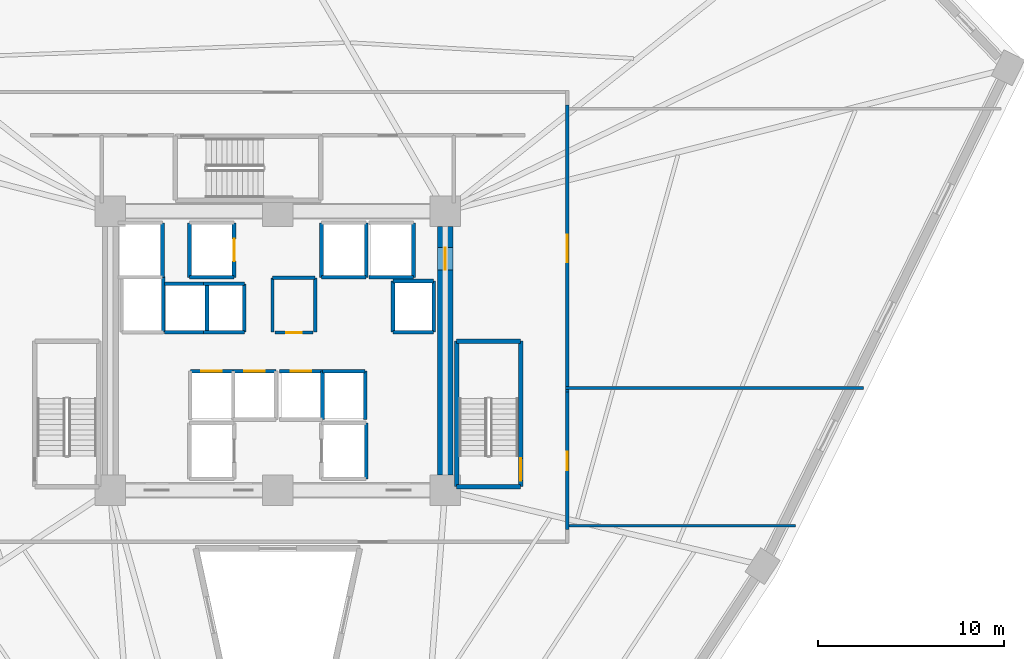
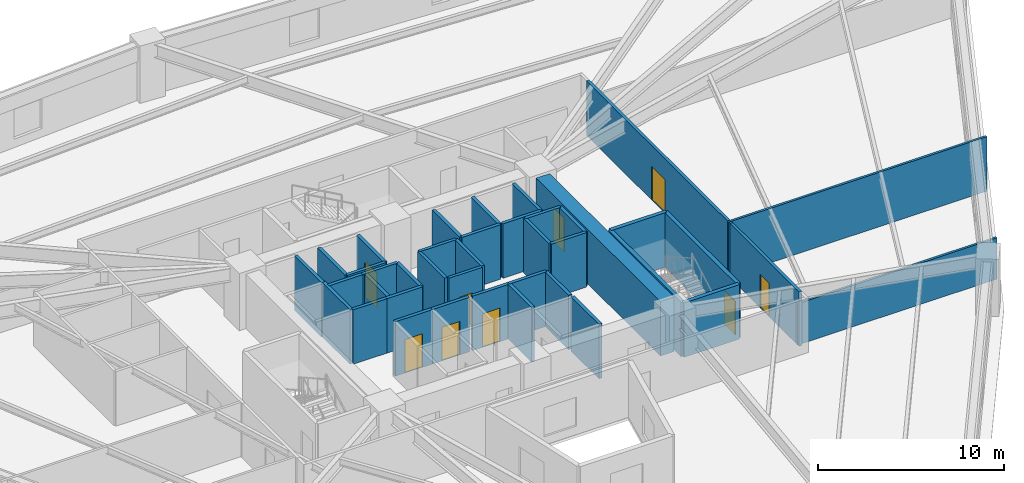
# One storey, part 5 of 8: 40 walls, 9 doors, 9 openings.
"""IFC4 building model written with IfcOpenShell, lengths in metres."""

from ifc_helpers import new_model, si_unit, direction, frame, frame_2d, origin, place, context, subcontext, project, spatial, rectangle, extrude, source, transform, mapped, material, layer, layer_set, type_object, element, fill, save


model = new_model("IFC4")

# Units and contexts
model_context = context("Model", 3, precision=1e-05, world=origin(), true_north=direction((0.0, 1.0)))
body_context = subcontext(model_context, "Body", "Model", "MODEL_VIEW")
ifc_project = project(units=[si_unit("LENGTHUNIT", "METRE"), si_unit("AREAUNIT", "SQUARE_METRE"), si_unit("VOLUMEUNIT", "CUBIC_METRE"), si_unit("PLANEANGLEUNIT", "RADIAN"), si_unit("MASSUNIT", "GRAM", prefix="KILO")], contexts=[model_context])

# Site, building, storey
site_placement = place(None, origin())
site = spatial("IfcSite", under=ifc_project, at=site_placement, CompositionType="ELEMENT")
building_placement = place(site_placement, origin())
building = spatial("IfcBuilding", under=site, at=building_placement, Name="Liaohun Quay Tower", CompositionType="ELEMENT")
storey_placement = place(building_placement, frame((0.0, 0.0, 36.0)))
storey = spatial("IfcBuildingStorey", under=building, at=storey_placement, Name="L09", CompositionType="ELEMENT", Elevation=36.0)

# Wall, opening, door
ifc_material_1 = material(Name="Concrete C60", Category="concrete")
ifc_layer_1 = layer(ifc_material_1, 0.85009765625, Name="Concrete C60", Category="concrete")
ifc_layer_set_1 = layer_set([ifc_layer_1], Name="Concrete C60")
wall_type_1 = type_object("IfcWallType", Name="WAL-COR-Z1", PredefinedType="SHEAR", material=ifc_layer_set_1)
wall_1_placement = place(storey_placement, frame((69.0, 60.675048828125, 0.0), z_axis=(0.0, 0.0, 1.0), x_axis=(0.0, -1.0, 0.0)))
wall_1 = element("IfcWall", 1, at=wall_1_placement, inside=storey, type_object=wall_type_1, Name="L09 Central Core Shear Wall E", PredefinedType="SHEAR", context=body_context, shape_type="SweptSolid", body=[
    extrude(rectangle(XDim=13.35009765625, YDim=0.85009765625, at=frame_2d((6.675048828125, 0.0))), origin(), (0.0, 0.0, 1.0), 3.570068359375),
])
shared_shape_1 = source(origin(), body_context, "Body", "SweptSolid", [
    extrude(rectangle(XDim=1.199951171875, YDim=2.199951171875, at=frame_2d((0.60009765625, 1.10009765625))), frame((0.0, 0.43505859375, 0.0), z_axis=(0.0, -1.0, 0.0), x_axis=(1.0, 0.0, 0.0)), (0.0, 0.0, 1.0), 0.8701171875),
])
opening_1_placement = place(wall_1_placement, frame((1.125, 0.0, 0.0)))
opening_1 = element("IfcOpeningElement", 2, at=opening_1_placement, cuts=wall_1, Name="Opening SD1", PredefinedType="OPENING", context=body_context, shape_type="MappedRepresentation", body=[
    mapped(shared_shape_1, transform((0.0, 0.0, 0.0), x_axis=(1.0, 0.0, 0.0), y_axis=(0.0, 1.0, 0.0), z_axis=(0.0, 0.0, 1.0), scale=1.0)),
])
ifc_material_2 = material(Name="Galvanised steel fire door", Category="steel")
door_type_1 = type_object("IfcDoorType", Name="DOR-STR-1200", OperationType="NOTDEFINED", PredefinedType="DOOR", material=ifc_material_2)
shared_shape_2 = source(origin(), body_context, "Body", "SweptSolid", [
    extrude(rectangle(XDim=1.199951171875, YDim=2.199951171875, at=frame_2d((0.60009765625, 1.10009765625))), frame((0.0, 0.02490234375, 0.0), z_axis=(0.0, -1.0, 0.0), x_axis=(1.0, 0.0, 0.0)), (0.0, 0.0, 1.0), 0.050048828125),
])
door_1_placement = place(opening_1_placement, origin())
door_1 = element("IfcDoor", 3, at=door_1_placement, inside=storey, type_object=door_type_1, Name="L09 North-East Core Lobby Smokeproof Door", OperationType="SINGLE_SWING_LEFT", OverallHeight=2.199951171875, OverallWidth=1.199951171875, PredefinedType="DOOR", context=body_context, shape_type="MappedRepresentation", body=[
    mapped(shared_shape_2, transform((0.0, 0.0, 0.0), x_axis=(1.0, 0.0, 0.0), y_axis=(0.0, 1.0, 0.0), z_axis=(0.0, 0.0, 1.0), scale=1.0)),
])
fill(opening_1, door_1)

ifc_material_3 = material(Name="Autoclaved aerated concrete blockwork", Category="masonry")
ifc_layer_2 = layer(ifc_material_3, 0.179931640625, Name="Autoclaved aerated concrete blockwork", Category="masonry")
ifc_layer_set_2 = layer_set([ifc_layer_2], Name="Autoclaved aerated concrete blockwork")
wall_type_2 = type_object("IfcWallType", Name="WAL-PRT-COR", PredefinedType="PARTITIONING", material=ifc_layer_set_2)
wall_2_placement = place(storey_placement, frame((59.840087890625, 54.97998046875, 0.0), z_axis=(0.0, 0.0, 1.0), x_axis=(1.0, 0.0, 0.0)))
wall_2 = element("IfcWall", 4, at=wall_2_placement, inside=storey, type_object=wall_type_2, Name="L09 Interior Partition Wall 001", PredefinedType="PARTITIONING", context=body_context, shape_type="SweptSolid", body=[
    extrude(rectangle(XDim=2.059814453125, YDim=0.179931640625, at=frame_2d((1.02978515625, 0.0))), origin(), (0.0, 0.0, 1.0), 3.570068359375),
])
shared_shape_3 = source(origin(), body_context, "Body", "SweptSolid", [
    extrude(rectangle(XDim=0.85009765625, YDim=2.10009765625, at=frame_2d((0.425048828125, 1.050048828125))), frame((0.0, 0.099853515625, 0.0), z_axis=(0.0, -1.0, 0.0), x_axis=(1.0, 0.0, 0.0)), (0.0, 0.0, 1.0), 0.199951171875),
])
opening_2_placement = place(wall_2_placement, frame((0.60498046875, 0.0, 0.0)))
opening_2 = element("IfcOpeningElement", 5, at=opening_2_placement, cuts=wall_2, Name="Opening AD1", PredefinedType="OPENING", context=body_context, shape_type="MappedRepresentation", body=[
    mapped(shared_shape_3, transform((0.0, 0.0, 0.0), x_axis=(1.0, 0.0, 0.0), y_axis=(0.0, 1.0, 0.0), z_axis=(0.0, 0.0, 1.0), scale=1.0)),
])
ifc_material_4 = material(Name="Steel riser inspection fire door", Category="steel")
door_type_2 = type_object("IfcDoorType", Name="DOR-SHF-850", OperationType="NOTDEFINED", PredefinedType="DOOR", material=ifc_material_4)
shared_shape_4 = source(origin(), body_context, "Body", "SweptSolid", [
    extrude(rectangle(XDim=0.85009765625, YDim=2.10009765625, at=frame_2d((0.425048828125, 1.050048828125))), frame((0.0, 0.02490234375, 0.0), z_axis=(0.0, -1.0, 0.0), x_axis=(1.0, 0.0, 0.0)), (0.0, 0.0, 1.0), 0.050048828125),
])
door_2_placement = place(opening_2_placement, origin())
door_2 = element("IfcDoor", 6, at=door_2_placement, inside=storey, type_object=door_type_2, Name="L09 Core Electrical and Telecom Riser Room Door", OperationType="SINGLE_SWING_RIGHT", OverallHeight=2.10009765625, OverallWidth=0.85009765625, PredefinedType="DOOR", context=body_context, shape_type="MappedRepresentation", body=[
    mapped(shared_shape_4, transform((0.0, 0.0, 0.0), x_axis=(1.0, 0.0, 0.0), y_axis=(0.0, 1.0, 0.0), z_axis=(0.0, 0.0, 1.0), scale=1.0)),
])
fill(opening_2, door_2)

wall_3_placement = place(storey_placement, frame((75.56005859375, 67.215087890625, 0.0), z_axis=(0.0, 0.0, 1.0), x_axis=(0.0, -1.0, 0.0)))
wall_3 = element("IfcWall", 7, at=wall_3_placement, inside=storey, type_object=wall_type_2, Name="L09 Interior Partition Wall 009", PredefinedType="PARTITIONING", context=body_context, shape_type="SweptSolid", body=[
    extrude(rectangle(XDim=15.43017578125, YDim=0.179931640625, at=frame_2d((7.715087890625, 0.0))), origin(), (0.0, 0.0, 1.0), 3.570068359375),
])
shared_shape_5 = source(origin(), body_context, "Body", "SweptSolid", [
    extrude(rectangle(XDim=1.5, YDim=2.199951171875, at=frame_2d((0.75, 1.10009765625))), frame((0.0, 0.099853515625, 0.0), z_axis=(0.0, -1.0, 0.0), x_axis=(1.0, 0.0, 0.0)), (0.0, 0.0, 1.0), 0.199951171875),
])
opening_3_placement = place(wall_3_placement, frame((6.965087890625, 0.0, 0.0)))
opening_3 = element("IfcOpeningElement", 8, at=opening_3_placement, cuts=wall_3, Name="Opening OD2", PredefinedType="OPENING", context=body_context, shape_type="MappedRepresentation", body=[
    mapped(shared_shape_5, transform((0.0, 0.0, 0.0), x_axis=(1.0, 0.0, 0.0), y_axis=(0.0, 1.0, 0.0), z_axis=(0.0, 0.0, 1.0), scale=1.0)),
])
ifc_material_5 = material(Name="Acoustic oak veneer double door")
door_type_3 = type_object("IfcDoorType", Name="DOR-OFF-1500", OperationType="DOUBLE_DOOR_SINGLE_SWING", PredefinedType="DOOR", material=ifc_material_5)
shared_shape_6 = source(origin(), body_context, "Body", "SweptSolid", [
    extrude(rectangle(XDim=1.5, YDim=2.199951171875, at=frame_2d((0.75, 1.10009765625))), frame((0.0, 0.02490234375, 0.0), z_axis=(0.0, -1.0, 0.0), x_axis=(1.0, 0.0, 0.0)), (0.0, 0.0, 1.0), 0.050048828125),
])
door_3_placement = place(opening_3_placement, origin())
door_3 = element("IfcDoor", 9, at=door_3_placement, inside=storey, type_object=door_type_3, Name="L09 Architectural Design Studio 01 Door", OperationType="DOUBLE_DOOR_SINGLE_SWING", OverallHeight=2.199951171875, OverallWidth=1.5, PredefinedType="DOOR", context=body_context, shape_type="MappedRepresentation", body=[
    mapped(shared_shape_6, transform((0.0, 0.0, 0.0), x_axis=(1.0, 0.0, 0.0), y_axis=(0.0, 1.0, 0.0), z_axis=(0.0, 0.0, 1.0), scale=1.0)),
])
fill(opening_3, door_3)

wall_4_placement = place(storey_placement, frame((75.56005859375, 51.784912109375, 0.0), z_axis=(0.0, 0.0, 1.0), x_axis=(0.0, -1.0, 0.0)))
wall_4 = element("IfcWall", 10, at=wall_4_placement, inside=storey, type_object=wall_type_2, Name="L09 Interior Partition Wall 014", PredefinedType="PARTITIONING", context=body_context, shape_type="SweptSolid", body=[
    extrude(rectangle(XDim=7.39990234375, YDim=0.179931640625, at=frame_2d((3.699951171875, 0.0))), origin(), (0.0, 0.0, 1.0), 3.570068359375),
])
shared_shape_7 = source(origin(), body_context, "Body", "SweptSolid", [
    extrude(rectangle(XDim=1.0, YDim=2.199951171875, at=frame_2d((0.5, 1.10009765625))), frame((0.0, 0.099853515625, 0.0), z_axis=(0.0, -1.0, 0.0), x_axis=(1.0, 0.0, 0.0)), (0.0, 0.0, 1.0), 0.199951171875),
])
opening_4_placement = place(wall_4_placement, frame((3.199951171875, 0.0, 0.0)))
opening_4 = element("IfcOpeningElement", 11, at=opening_4_placement, cuts=wall_4, Name="Opening OD1", PredefinedType="OPENING", context=body_context, shape_type="MappedRepresentation", body=[
    mapped(shared_shape_7, transform((0.0, 0.0, 0.0), x_axis=(1.0, 0.0, 0.0), y_axis=(0.0, 1.0, 0.0), z_axis=(0.0, 0.0, 1.0), scale=1.0)),
])
ifc_material_6 = material(Name="Solid-core oak veneer timber leaf in steel frame", Category="steel")
door_type_4 = type_object("IfcDoorType", Name="DOR-OFF-1000", OperationType="NOTDEFINED", PredefinedType="DOOR", material=ifc_material_6)
shared_shape_8 = source(origin(), body_context, "Body", "SweptSolid", [
    extrude(rectangle(XDim=1.0, YDim=2.199951171875, at=frame_2d((0.5, 1.10009765625))), frame((0.0, 0.02490234375, 0.0), z_axis=(0.0, -1.0, 0.0), x_axis=(1.0, 0.0, 0.0)), (0.0, 0.0, 1.0), 0.050048828125),
])
door_4_placement = place(opening_4_placement, origin())
door_4 = element("IfcDoor", 12, at=door_4_placement, inside=storey, type_object=door_type_4, Name="L09 Staff Tea Kitchen and Pantry 06 Door", OperationType="SINGLE_SWING_LEFT", OverallHeight=2.199951171875, OverallWidth=1.0, PredefinedType="DOOR", context=body_context, shape_type="MappedRepresentation", body=[
    mapped(shared_shape_8, transform((0.0, 0.0, 0.0), x_axis=(1.0, 0.0, 0.0), y_axis=(0.0, 1.0, 0.0), z_axis=(0.0, 0.0, 1.0), scale=1.0)),
])
fill(opening_4, door_4)

# Walls
for number, where, z_axis, x_axis, name in (
    (13, (59.719970703125, 55.02001953125, 0.0), (0.0, 0.0, 1.0), (0.0, 1.0, 0.0), "L09 Interior Partition Wall 015"),
    (14, (62.010009765625, 55.02001953125, 0.0), (0.0, 0.0, 1.0), (0.0, 1.0, 0.0), "L09 Interior Partition Wall 016"),
):
    element("IfcWall", number, at=place(storey_placement, frame(where, z_axis=z_axis, x_axis=x_axis)), inside=storey, type_object=wall_type_2, Name=name, PredefinedType="PARTITIONING", context=body_context, shape_type="SweptSolid", body=[
        extrude(rectangle(XDim=2.8798828125, YDim=0.179931640625, at=frame_2d((1.43994140625, 0.0))), origin(), (0.0, 0.0, 1.0), 3.570068359375),
    ])
wall_5_placement = place(storey_placement, frame((59.719970703125, 57.919921875, 0.0), z_axis=(0.0, 0.0, 1.0), x_axis=(1.0, 0.0, 0.0)))
element("IfcWall", 15, at=wall_5_placement, inside=storey, type_object=wall_type_2, Name="L09 Interior Partition Wall 017", PredefinedType="PARTITIONING", context=body_context, shape_type="SweptSolid", body=[
    extrude(rectangle(XDim=2.2900390625, YDim=0.179931640625, at=frame_2d((1.14501953125, 0.0))), origin(), (0.0, 0.0, 1.0), 3.570068359375),
])
ifc_material_7 = material(Name="Gypsum board on twin steel studs", Category="steel")
ifc_layer_3 = layer(ifc_material_7, 0.139892578125, Name="Gypsum board on twin steel studs", Category="steel")
ifc_layer_set_3 = layer_set([ifc_layer_3], Name="Gypsum board on twin steel studs")
wall_type_3 = type_object("IfcWallType", Name="WAL-PRT-OFF", PredefinedType="PARTITIONING", material=ifc_layer_set_3)
wall_6_placement = place(storey_placement, frame((75.4599609375, 44.60009765625, 0.0), z_axis=(0.0, 0.0, 1.0), x_axis=(1.0, 0.0, 0.0)))
element("IfcWall", 16, at=wall_6_placement, inside=storey, type_object=wall_type_3, Name="L09 Interior Partition Wall 033", PredefinedType="PARTITIONING", context=body_context, shape_type="SweptSolid", body=[
    extrude(rectangle(XDim=12.379150390625, YDim=0.139892578125, at=frame_2d((6.189453125, 0.0))), origin(), (0.0, 0.0, 1.0), 2.705078125),
])
wall_7_placement = place(storey_placement, frame((75.4599609375, 52.0, 0.0), z_axis=(0.0, 0.0, 1.0), x_axis=(1.0, 0.0, 0.0)))
element("IfcWall", 17, at=wall_7_placement, inside=storey, type_object=wall_type_3, Name="L09 Interior Partition Wall 034", PredefinedType="PARTITIONING", context=body_context, shape_type="SweptSolid", body=[
    extrude(rectangle(XDim=16.02294921875, YDim=0.139892578125, at=frame_2d((8.011474609375, 0.0))), origin(), (0.0, 0.0, 1.0), 3.570068359375),
])
ifc_material_8 = material(Name="Concrete C50", Category="concrete")
ifc_layer_4 = layer(ifc_material_8, 0.239990234375, Name="Concrete C50", Category="concrete")
ifc_layer_set_4 = layer_set([ifc_layer_4], Name="Concrete C50")
wall_type_4 = type_object("IfcWallType", Name="WAL-SHF-200", PredefinedType="SOLIDWALL", material=ifc_layer_set_4)
wall_8_placement = place(storey_placement, frame((69.6201171875, 46.699951171875, 0.0), z_axis=(0.0, 0.0, 1.0), x_axis=(1.0, 0.0, 0.0)))
element("IfcWall", 18, at=wall_8_placement, inside=storey, type_object=wall_type_4, Name="L09 Stairwell ST-2 Structural Core Wall S", PredefinedType="SOLIDWALL", context=body_context, shape_type="SweptSolid", body=[
    extrude(rectangle(XDim=3.43994140625, YDim=0.239990234375, at=frame_2d((1.719970703125, 0.0))), origin(), (0.0, 0.0, 1.0), 3.570068359375),
])

# Wall, opening, door
wall_9_placement = place(storey_placement, frame((73.06005859375, 46.699951171875, 0.0), z_axis=(0.0, 0.0, 1.0), x_axis=(0.0, 1.0, 0.0)))
wall_9 = element("IfcWall", 19, at=wall_9_placement, inside=storey, type_object=wall_type_4, Name="L09 Stairwell ST-2 Structural Core Wall E", PredefinedType="SOLIDWALL", context=body_context, shape_type="SweptSolid", body=[
    extrude(rectangle(XDim=7.820068359375, YDim=0.239990234375, at=frame_2d((3.91015625, 0.0))), origin(), (0.0, 0.0, 1.0), 3.570068359375),
])
shared_shape_9 = source(origin(), body_context, "Body", "SweptSolid", [
    extrude(rectangle(XDim=1.199951171875, YDim=2.199951171875, at=frame_2d((0.60009765625, 1.10009765625))), frame((0.0, 0.1298828125, 0.0), z_axis=(0.0, -1.0, 0.0), x_axis=(1.0, 0.0, 0.0)), (0.0, 0.0, 1.0), 0.260009765625),
])
opening_5_placement = place(wall_9_placement, frame((0.320068359375, 0.0, 0.0)))
opening_5 = element("IfcOpeningElement", 20, at=opening_5_placement, cuts=wall_9, Name="Opening SD1", PredefinedType="OPENING", context=body_context, shape_type="MappedRepresentation", body=[
    mapped(shared_shape_9, transform((0.0, 0.0, 0.0), x_axis=(1.0, 0.0, 0.0), y_axis=(0.0, 1.0, 0.0), z_axis=(0.0, 0.0, 1.0), scale=1.0)),
])
door_5_placement = place(opening_5_placement, origin())
door_5 = element("IfcDoor", 21, at=door_5_placement, inside=storey, type_object=door_type_1, Name="L09 Protected Stair ST-2 Fire Door", OperationType="SINGLE_SWING_RIGHT", OverallHeight=2.199951171875, OverallWidth=1.199951171875, PredefinedType="DOOR", context=body_context, shape_type="MappedRepresentation", body=[
    mapped(shared_shape_2, transform((0.0, 0.0, 0.0), x_axis=(1.0, 0.0, 0.0), y_axis=(0.0, 1.0, 0.0), z_axis=(0.0, 0.0, 1.0), scale=1.0)),
])
fill(opening_5, door_5)

# Walls
wall_10_placement = place(storey_placement, frame((73.06005859375, 54.52001953125, 0.0), z_axis=(0.0, 0.0, 1.0), x_axis=(-1.0, 0.0, 0.0)))
element("IfcWall", 22, at=wall_10_placement, inside=storey, type_object=wall_type_4, Name="L09 Stairwell ST-2 Structural Core Wall N", PredefinedType="SOLIDWALL", context=body_context, shape_type="SweptSolid", body=[
    extrude(rectangle(XDim=3.43994140625, YDim=0.239990234375, at=frame_2d((1.719970703125, 0.0))), origin(), (0.0, 0.0, 1.0), 3.570068359375),
])
wall_11_placement = place(storey_placement, frame((69.6201171875, 54.52001953125, 0.0), z_axis=(0.0, 0.0, 1.0), x_axis=(0.0, -1.0, 0.0)))
element("IfcWall", 23, at=wall_11_placement, inside=storey, type_object=wall_type_4, Name="L09 Stairwell ST-2 Structural Core Wall W", PredefinedType="SOLIDWALL", context=body_context, shape_type="SweptSolid", body=[
    extrude(rectangle(XDim=7.820068359375, YDim=0.239990234375, at=frame_2d((3.91015625, 0.0))), origin(), (0.0, 0.0, 1.0), 3.570068359375),
])
wall_12_placement = place(storey_placement, frame((64.75, 47.1201171875, 0.0), z_axis=(0.0, 0.0, 1.0), x_axis=(0.0, 1.0, 0.0)))
element("IfcWall", 24, at=wall_12_placement, inside=storey, type_object=wall_type_4, Name="L09 Lift FF-02 Hoistway Wall E", PredefinedType="SOLIDWALL", context=body_context, shape_type="SweptSolid", body=[
    extrude(rectangle(XDim=3.0, YDim=0.199951171875, at=frame_2d((1.5, 0.0))), origin(), (0.0, 0.0, 1.0), 3.570068359375),
])
wall_13_placement = place(storey_placement, frame((55.25, 57.949951171875, 0.0), z_axis=(0.0, 0.0, 1.0), x_axis=(1.0, 0.0, 0.0)))
element("IfcWall", 25, at=wall_13_placement, inside=storey, type_object=wall_type_4, Name="L09 Lift FF-03 Hoistway Wall S", PredefinedType="SOLIDWALL", context=body_context, shape_type="SweptSolid", body=[
    extrude(rectangle(XDim=2.39990234375, YDim=0.199951171875, at=frame_2d((1.199951171875, 0.0))), origin(), (0.0, 0.0, 1.0), 3.570068359375),
])

# Wall, opening, door
wall_14_placement = place(storey_placement, frame((57.64990234375, 57.949951171875, 0.0), z_axis=(0.0, 0.0, 1.0), x_axis=(0.0, 1.0, 0.0)))
wall_14 = element("IfcWall", 26, at=wall_14_placement, inside=storey, type_object=wall_type_4, Name="L09 Lift FF-03 Hoistway Wall E", PredefinedType="SOLIDWALL", context=body_context, shape_type="SweptSolid", body=[
    extrude(rectangle(XDim=2.929931640625, YDim=0.199951171875, at=frame_2d((1.46484375, 0.0))), origin(), (0.0, 0.0, 1.0), 3.570068359375),
])
shared_shape_10 = source(origin(), body_context, "Body", "SweptSolid", [
    extrude(rectangle(XDim=1.199951171875, YDim=2.300048828125, at=frame_2d((0.60009765625, 1.14990234375))), frame((0.0, 0.10986328125, 0.0), z_axis=(0.0, -1.0, 0.0), x_axis=(1.0, 0.0, 0.0)), (0.0, 0.0, 1.0), 0.219970703125),
])
opening_6_placement = place(wall_14_placement, frame((0.864990234375, 0.0, 0.0)))
opening_6 = element("IfcOpeningElement", 27, at=opening_6_placement, cuts=wall_14, Name="Opening LD2", PredefinedType="OPENING", context=body_context, shape_type="MappedRepresentation", body=[
    mapped(shared_shape_10, transform((0.0, 0.0, 0.0), x_axis=(1.0, 0.0, 0.0), y_axis=(0.0, 1.0, 0.0), z_axis=(0.0, 0.0, 1.0), scale=1.0)),
])
ifc_material_9 = material(Name="Brushed stainless steel stretcher landing door", Category="steel")
door_type_5 = type_object("IfcDoorType", Name="DOR-LFT-1200", OperationType="SLIDING_TO_LEFT", PredefinedType="DOOR", material=ifc_material_9)
shared_shape_11 = source(origin(), body_context, "Body", "SweptSolid", [
    extrude(rectangle(XDim=1.199951171875, YDim=2.300048828125, at=frame_2d((0.60009765625, 1.14990234375))), frame((0.0, 0.02490234375, 0.0), z_axis=(0.0, -1.0, 0.0), x_axis=(1.0, 0.0, 0.0)), (0.0, 0.0, 1.0), 0.050048828125),
])
door_6_placement = place(opening_6_placement, origin())
door_6 = element("IfcDoor", 28, at=door_6_placement, inside=storey, type_object=door_type_5, Name="L09 Lift FF-03 Sliding Landing Door", OperationType="SLIDING_TO_LEFT", OverallHeight=2.300048828125, OverallWidth=1.199951171875, PredefinedType="DOOR", context=body_context, shape_type="MappedRepresentation", body=[
    mapped(shared_shape_11, transform((0.0, 0.0, 0.0), x_axis=(1.0, 0.0, 0.0), y_axis=(0.0, 1.0, 0.0), z_axis=(0.0, 0.0, 1.0), scale=1.0)),
])
fill(opening_6, door_6)

# Walls
wall_15_placement = place(storey_placement, frame((55.25, 60.8798828125, 0.0), z_axis=(0.0, 0.0, 1.0), x_axis=(0.0, -1.0, 0.0)))
element("IfcWall", 29, at=wall_15_placement, inside=storey, type_object=wall_type_4, Name="L09 Lift FF-03 Hoistway Wall W", PredefinedType="SOLIDWALL", context=body_context, shape_type="SweptSolid", body=[
    extrude(rectangle(XDim=2.929931640625, YDim=0.199951171875, at=frame_2d((1.46484375, 0.0))), origin(), (0.0, 0.0, 1.0), 3.570068359375),
])
wall_16_placement = place(storey_placement, frame((62.35009765625, 57.949951171875, 0.0), z_axis=(0.0, 0.0, 1.0), x_axis=(1.0, 0.0, 0.0)))
element("IfcWall", 30, at=wall_16_placement, inside=storey, type_object=wall_type_4, Name="L09 Lift OB-01 Hoistway Wall S", PredefinedType="SOLIDWALL", context=body_context, shape_type="SweptSolid", body=[
    extrude(rectangle(XDim=2.39990234375, YDim=0.199951171875, at=frame_2d((1.199951171875, 0.0))), origin(), (0.0, 0.0, 1.0), 3.570068359375),
])
for number, where, z_axis, x_axis, name in (
    (31, (64.75, 57.949951171875, 0.0), (0.0, 0.0, 1.0), (0.0, 1.0, 0.0), "L09 Lift OB-01 Hoistway Wall E"),
    (32, (62.35009765625, 60.8798828125, 0.0), (0.0, 0.0, 1.0), (0.0, -1.0, 0.0), "L09 Lift OB-01 Hoistway Wall W"),
):
    element("IfcWall", number, at=place(storey_placement, frame(where, z_axis=z_axis, x_axis=x_axis)), inside=storey, type_object=wall_type_4, Name=name, PredefinedType="SOLIDWALL", context=body_context, shape_type="SweptSolid", body=[
        extrude(rectangle(XDim=2.929931640625, YDim=0.199951171875, at=frame_2d((1.46484375, 0.0))), origin(), (0.0, 0.0, 1.0), 3.570068359375),
    ])
wall_17_placement = place(storey_placement, frame((64.89990234375, 57.949951171875, 0.0), z_axis=(0.0, 0.0, 1.0), x_axis=(1.0, 0.0, 0.0)))
element("IfcWall", 33, at=wall_17_placement, inside=storey, type_object=wall_type_4, Name="L09 Lift OB-02 Hoistway Wall S", PredefinedType="SOLIDWALL", context=body_context, shape_type="SweptSolid", body=[
    extrude(rectangle(XDim=2.400146484375, YDim=0.199951171875, at=frame_2d((1.2001953125, 0.0))), origin(), (0.0, 0.0, 1.0), 3.570068359375),
])
for number, where, z_axis, x_axis, name in (
    (34, (67.300048828125, 57.949951171875, 0.0), (0.0, 0.0, 1.0), (0.0, 1.0, 0.0), "L09 Lift OB-02 Hoistway Wall E"),
    (35, (53.800048828125, 57.949951171875, 0.0), (0.0, 0.0, 1.0), (0.0, 1.0, 0.0), "L09 Lift SH-01 Hoistway Wall E"),
):
    element("IfcWall", number, at=place(storey_placement, frame(where, z_axis=z_axis, x_axis=x_axis)), inside=storey, type_object=wall_type_4, Name=name, PredefinedType="SOLIDWALL", context=body_context, shape_type="SweptSolid", body=[
        extrude(rectangle(XDim=2.929931640625, YDim=0.199951171875, at=frame_2d((1.46484375, 0.0))), origin(), (0.0, 0.0, 1.0), 3.570068359375),
    ])
wall_18_placement = place(storey_placement, frame((53.85009765625, 55.0, 0.0), z_axis=(0.0, 0.0, 1.0), x_axis=(0.0, 1.0, 0.0)))
element("IfcWall", 36, at=wall_18_placement, inside=storey, type_object=wall_type_4, Name="L09 Lift SH-02 Hoistway Wall E", PredefinedType="SOLIDWALL", context=body_context, shape_type="SweptSolid", body=[
    extrude(rectangle(XDim=3.0, YDim=0.199951171875, at=frame_2d((1.5, 0.0))), origin(), (0.0, 0.0, 1.0), 3.570068359375),
])
wall_19_placement = place(storey_placement, frame((66.199951171875, 55.0, 0.0), z_axis=(0.0, 0.0, 1.0), x_axis=(1.0, 0.0, 0.0)))
element("IfcWall", 37, at=wall_19_placement, inside=storey, type_object=wall_type_4, Name="L09 Lift SH-03 Hoistway Wall S", PredefinedType="SOLIDWALL", context=body_context, shape_type="SweptSolid", body=[
    extrude(rectangle(XDim=2.179931640625, YDim=0.199951171875, at=frame_2d((1.08984375, 0.0))), origin(), (0.0, 0.0, 1.0), 3.570068359375),
])
wall_20_placement = place(storey_placement, frame((68.3798828125, 55.0, 0.0), z_axis=(0.0, 0.0, 1.0), x_axis=(0.0, 1.0, 0.0)))
element("IfcWall", 38, at=wall_20_placement, inside=storey, type_object=wall_type_4, Name="L09 Lift SH-03 Hoistway Wall E", PredefinedType="SOLIDWALL", context=body_context, shape_type="SweptSolid", body=[
    extrude(rectangle(XDim=2.75, YDim=0.199951171875, at=frame_2d((1.375, 0.0))), origin(), (0.0, 0.0, 1.0), 3.570068359375),
])
wall_21_placement = place(storey_placement, frame((68.3798828125, 57.75, 0.0), z_axis=(0.0, 0.0, 1.0), x_axis=(-1.0, 0.0, 0.0)))
element("IfcWall", 39, at=wall_21_placement, inside=storey, type_object=wall_type_4, Name="L09 Lift SH-03 Hoistway Wall N", PredefinedType="SOLIDWALL", context=body_context, shape_type="SweptSolid", body=[
    extrude(rectangle(XDim=2.179931640625, YDim=0.199951171875, at=frame_2d((1.08984375, 0.0))), origin(), (0.0, 0.0, 1.0), 3.570068359375),
])
wall_22_placement = place(storey_placement, frame((66.199951171875, 57.75, 0.0), z_axis=(0.0, 0.0, 1.0), x_axis=(0.0, -1.0, 0.0)))
element("IfcWall", 40, at=wall_22_placement, inside=storey, type_object=wall_type_4, Name="L09 Lift SH-03 Hoistway Wall W", PredefinedType="SOLIDWALL", context=body_context, shape_type="SweptSolid", body=[
    extrude(rectangle(XDim=2.75, YDim=0.199951171875, at=frame_2d((1.375, 0.0))), origin(), (0.0, 0.0, 1.0), 3.570068359375),
])

# Wall, opening, door
wall_23_placement = place(storey_placement, frame((57.60009765625, 52.89990234375, 0.0), z_axis=(0.0, 0.0, 1.0), x_axis=(-1.0, 0.0, 0.0)))
wall_23 = element("IfcWall", 41, at=wall_23_placement, inside=storey, type_object=wall_type_4, Name="L09 Lift PL-1A Hoistway Wall N", PredefinedType="SOLIDWALL", context=body_context, shape_type="SweptSolid", body=[
    extrude(rectangle(XDim=2.300048828125, YDim=0.199951171875, at=frame_2d((1.14990234375, 0.0))), origin(), (0.0, 0.0, 1.0), 3.570068359375),
])
shared_shape_12 = source(origin(), body_context, "Body", "SweptSolid", [
    extrude(rectangle(XDim=1.10009765625, YDim=2.199951171875, at=frame_2d((0.550048828125, 1.10009765625))), frame((0.0, 0.10986328125, 0.0), z_axis=(0.0, -1.0, 0.0), x_axis=(1.0, 0.0, 0.0)), (0.0, 0.0, 1.0), 0.219970703125),
])
opening_7_placement = place(wall_23_placement, frame((0.60009765625, 0.0, 0.0)))
opening_7 = element("IfcOpeningElement", 42, at=opening_7_placement, cuts=wall_23, Name="Opening LD1", PredefinedType="OPENING", context=body_context, shape_type="MappedRepresentation", body=[
    mapped(shared_shape_12, transform((0.0, 0.0, 0.0), x_axis=(1.0, 0.0, 0.0), y_axis=(0.0, 1.0, 0.0), z_axis=(0.0, 0.0, 1.0), scale=1.0)),
])
ifc_material_10 = material(Name="Brushed stainless steel landing door", Category="steel")
door_type_6 = type_object("IfcDoorType", Name="DOR-LFT-1100", OperationType="SLIDING_TO_LEFT", PredefinedType="DOOR", material=ifc_material_10)
shared_shape_13 = source(origin(), body_context, "Body", "SweptSolid", [
    extrude(rectangle(XDim=1.10009765625, YDim=2.199951171875, at=frame_2d((0.550048828125, 1.10009765625))), frame((0.0, 0.02490234375, 0.0), z_axis=(0.0, -1.0, 0.0), x_axis=(1.0, 0.0, 0.0)), (0.0, 0.0, 1.0), 0.050048828125),
])
door_7_placement = place(opening_7_placement, origin())
door_7 = element("IfcDoor", 43, at=door_7_placement, inside=storey, type_object=door_type_6, Name="L09 Lift PL-1A Sliding Landing Door", OperationType="SLIDING_TO_LEFT", OverallHeight=2.199951171875, OverallWidth=1.10009765625, PredefinedType="DOOR", context=body_context, shape_type="MappedRepresentation", body=[
    mapped(shared_shape_13, transform((0.0, 0.0, 0.0), x_axis=(1.0, 0.0, 0.0), y_axis=(0.0, 1.0, 0.0), z_axis=(0.0, 0.0, 1.0), scale=1.0)),
])
fill(opening_7, door_7)

wall_24_placement = place(storey_placement, frame((59.89990234375, 52.89990234375, 0.0), z_axis=(0.0, 0.0, 1.0), x_axis=(-1.0, 0.0, 0.0)))
wall_24 = element("IfcWall", 44, at=wall_24_placement, inside=storey, type_object=wall_type_4, Name="L09 Lift PL-1B Hoistway Wall N", PredefinedType="SOLIDWALL", context=body_context, shape_type="SweptSolid", body=[
    extrude(rectangle(XDim=2.2998046875, YDim=0.199951171875, at=frame_2d((1.14990234375, 0.0))), origin(), (0.0, 0.0, 1.0), 3.570068359375),
])
opening_8_placement = place(wall_24_placement, frame((0.60009765625, 0.0, 0.0)))
opening_8 = element("IfcOpeningElement", 45, at=opening_8_placement, cuts=wall_24, Name="Opening LD1", PredefinedType="OPENING", context=body_context, shape_type="MappedRepresentation", body=[
    mapped(shared_shape_12, transform((0.0, 0.0, 0.0), x_axis=(1.0, 0.0, 0.0), y_axis=(0.0, 1.0, 0.0), z_axis=(0.0, 0.0, 1.0), scale=1.0)),
])
door_8_placement = place(opening_8_placement, origin())
door_8 = element("IfcDoor", 46, at=door_8_placement, inside=storey, type_object=door_type_6, Name="L09 Lift PL-1B Sliding Landing Door", OperationType="SLIDING_TO_LEFT", OverallHeight=2.199951171875, OverallWidth=1.10009765625, PredefinedType="DOOR", context=body_context, shape_type="MappedRepresentation", body=[
    mapped(shared_shape_13, transform((0.0, 0.0, 0.0), x_axis=(1.0, 0.0, 0.0), y_axis=(0.0, 1.0, 0.0), z_axis=(0.0, 0.0, 1.0), scale=1.0)),
])
fill(opening_8, door_8)

# Wall
wall_25_placement = place(storey_placement, frame((62.39990234375, 50.300048828125, 0.0), z_axis=(0.0, 0.0, 1.0), x_axis=(0.0, 1.0, 0.0)))
element("IfcWall", 47, at=wall_25_placement, inside=storey, type_object=wall_type_4, Name="L09 Lift PL-1C Hoistway Wall E", PredefinedType="SOLIDWALL", context=body_context, shape_type="SweptSolid", body=[
    extrude(rectangle(XDim=2.599853515625, YDim=0.199951171875, at=frame_2d((1.2998046875, 0.0))), origin(), (0.0, 0.0, 1.0), 3.570068359375),
])

# Wall, opening, door
wall_26_placement = place(storey_placement, frame((62.39990234375, 52.89990234375, 0.0), z_axis=(0.0, 0.0, 1.0), x_axis=(-1.0, 0.0, 0.0)))
wall_26 = element("IfcWall", 48, at=wall_26_placement, inside=storey, type_object=wall_type_4, Name="L09 Lift PL-1C Hoistway Wall N", PredefinedType="SOLIDWALL", context=body_context, shape_type="SweptSolid", body=[
    extrude(rectangle(XDim=2.2998046875, YDim=0.199951171875, at=frame_2d((1.14990234375, 0.0))), origin(), (0.0, 0.0, 1.0), 3.570068359375),
])
opening_9_placement = place(wall_26_placement, frame((0.60009765625, 0.0, 0.0)))
opening_9 = element("IfcOpeningElement", 49, at=opening_9_placement, cuts=wall_26, Name="Opening LD1", PredefinedType="OPENING", context=body_context, shape_type="MappedRepresentation", body=[
    mapped(shared_shape_12, transform((0.0, 0.0, 0.0), x_axis=(1.0, 0.0, 0.0), y_axis=(0.0, 1.0, 0.0), z_axis=(0.0, 0.0, 1.0), scale=1.0)),
])
door_9_placement = place(opening_9_placement, origin())
door_9 = element("IfcDoor", 50, at=door_9_placement, inside=storey, type_object=door_type_6, Name="L09 Lift PL-1C Sliding Landing Door", OperationType="SLIDING_TO_LEFT", OverallHeight=2.199951171875, OverallWidth=1.10009765625, PredefinedType="DOOR", context=body_context, shape_type="MappedRepresentation", body=[
    mapped(shared_shape_13, transform((0.0, 0.0, 0.0), x_axis=(1.0, 0.0, 0.0), y_axis=(0.0, 1.0, 0.0), z_axis=(0.0, 0.0, 1.0), scale=1.0)),
])
fill(opening_9, door_9)

# Walls
wall_27_placement = place(storey_placement, frame((64.699951171875, 50.300048828125, 0.0), z_axis=(0.0, 0.0, 1.0), x_axis=(0.0, 1.0, 0.0)))
element("IfcWall", 51, at=wall_27_placement, inside=storey, type_object=wall_type_4, Name="L09 Lift PL-2A Hoistway Wall E", PredefinedType="SOLIDWALL", context=body_context, shape_type="SweptSolid", body=[
    extrude(rectangle(XDim=2.599853515625, YDim=0.199951171875, at=frame_2d((1.2998046875, 0.0))), origin(), (0.0, 0.0, 1.0), 3.570068359375),
])
for number, where, z_axis, x_axis, name in (
    (52, (64.699951171875, 52.89990234375, 0.0), (0.0, 0.0, 1.0), (-1.0, 0.0, 0.0), "L09 Lift PL-2A Hoistway Wall N"),
    (53, (53.89990234375, 55.0, 0.0), (0.0, 0.0, 1.0), (1.0, 0.0, 0.0), "L09 Lift PL-2B Hoistway Wall S"),
):
    element("IfcWall", number, at=place(storey_placement, frame(where, z_axis=z_axis, x_axis=x_axis)), inside=storey, type_object=wall_type_4, Name=name, PredefinedType="SOLIDWALL", context=body_context, shape_type="SweptSolid", body=[
        extrude(rectangle(XDim=2.300048828125, YDim=0.199951171875, at=frame_2d((1.14990234375, 0.0))), origin(), (0.0, 0.0, 1.0), 3.570068359375),
    ])
wall_28_placement = place(storey_placement, frame((56.199951171875, 55.0, 0.0), z_axis=(0.0, 0.0, 1.0), x_axis=(0.0, 1.0, 0.0)))
element("IfcWall", 54, at=wall_28_placement, inside=storey, type_object=wall_type_4, Name="L09 Lift PL-2B Hoistway Wall E", PredefinedType="SOLIDWALL", context=body_context, shape_type="SweptSolid", body=[
    extrude(rectangle(XDim=2.60009765625, YDim=0.199951171875, at=frame_2d((1.300048828125, 0.0))), origin(), (0.0, 0.0, 1.0), 3.570068359375),
])
wall_29_placement = place(storey_placement, frame((56.199951171875, 57.60009765625, 0.0), z_axis=(0.0, 0.0, 1.0), x_axis=(-1.0, 0.0, 0.0)))
element("IfcWall", 55, at=wall_29_placement, inside=storey, type_object=wall_type_4, Name="L09 Lift PL-2B Hoistway Wall N", PredefinedType="SOLIDWALL", context=body_context, shape_type="SweptSolid", body=[
    extrude(rectangle(XDim=2.300048828125, YDim=0.199951171875, at=frame_2d((1.14990234375, 0.0))), origin(), (0.0, 0.0, 1.0), 3.570068359375),
])
wall_30_placement = place(storey_placement, frame((56.0, 55.0, 0.0), z_axis=(0.0, 0.0, 1.0), x_axis=(1.0, 0.0, 0.0)))
element("IfcWall", 56, at=wall_30_placement, inside=storey, type_object=wall_type_4, Name="L09 Lift PL-2C Hoistway Wall S", PredefinedType="SOLIDWALL", context=body_context, shape_type="SweptSolid", body=[
    extrude(rectangle(XDim=2.199951171875, YDim=0.199951171875, at=frame_2d((1.10009765625, 0.0))), origin(), (0.0, 0.0, 1.0), 3.570068359375),
])
wall_31_placement = place(storey_placement, frame((58.199951171875, 55.0, 0.0), z_axis=(0.0, 0.0, 1.0), x_axis=(0.0, 1.0, 0.0)))
element("IfcWall", 57, at=wall_31_placement, inside=storey, type_object=wall_type_4, Name="L09 Lift PL-2C Hoistway Wall E", PredefinedType="SOLIDWALL", context=body_context, shape_type="SweptSolid", body=[
    extrude(rectangle(XDim=2.60009765625, YDim=0.199951171875, at=frame_2d((1.300048828125, 0.0))), origin(), (0.0, 0.0, 1.0), 3.570068359375),
])
wall_32_placement = place(storey_placement, frame((58.199951171875, 57.60009765625, 0.0), z_axis=(0.0, 0.0, 1.0), x_axis=(-1.0, 0.0, 0.0)))
element("IfcWall", 58, at=wall_32_placement, inside=storey, type_object=wall_type_4, Name="L09 Lift PL-2C Hoistway Wall N", PredefinedType="SOLIDWALL", context=body_context, shape_type="SweptSolid", body=[
    extrude(rectangle(XDim=2.199951171875, YDim=0.199951171875, at=frame_2d((1.10009765625, 0.0))), origin(), (0.0, 0.0, 1.0), 3.570068359375),
])

save(model, "model.ifc")
